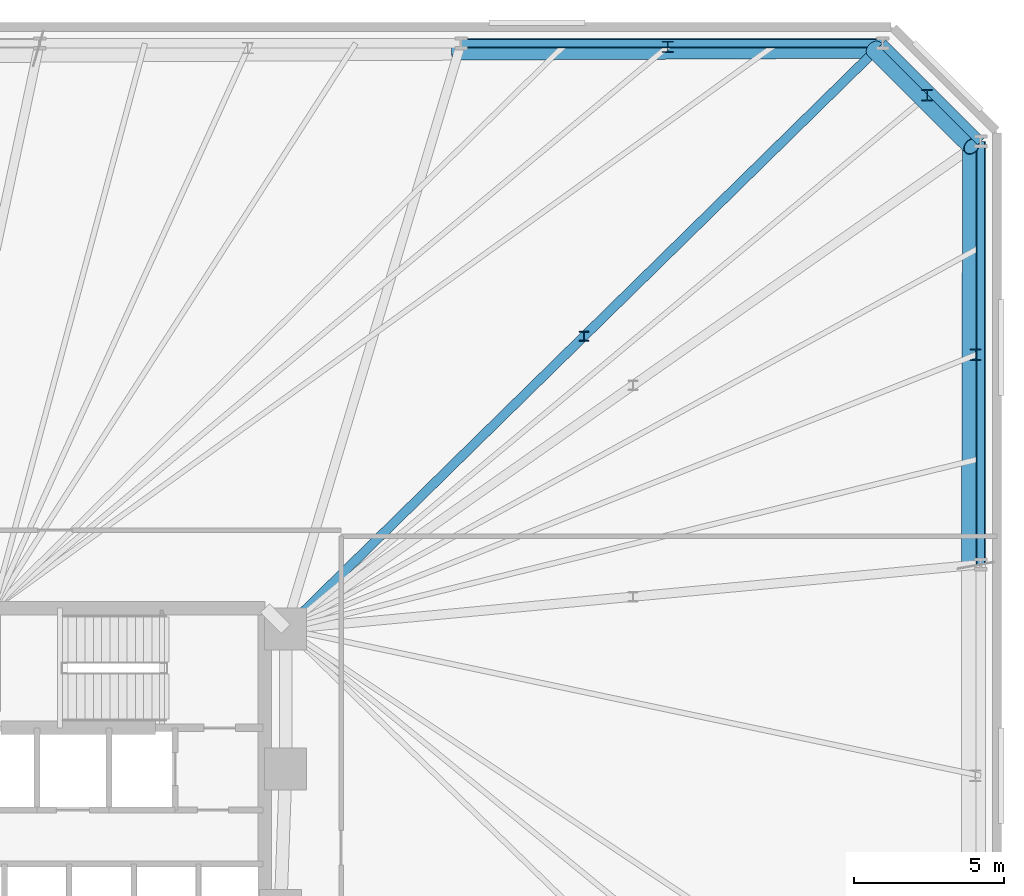
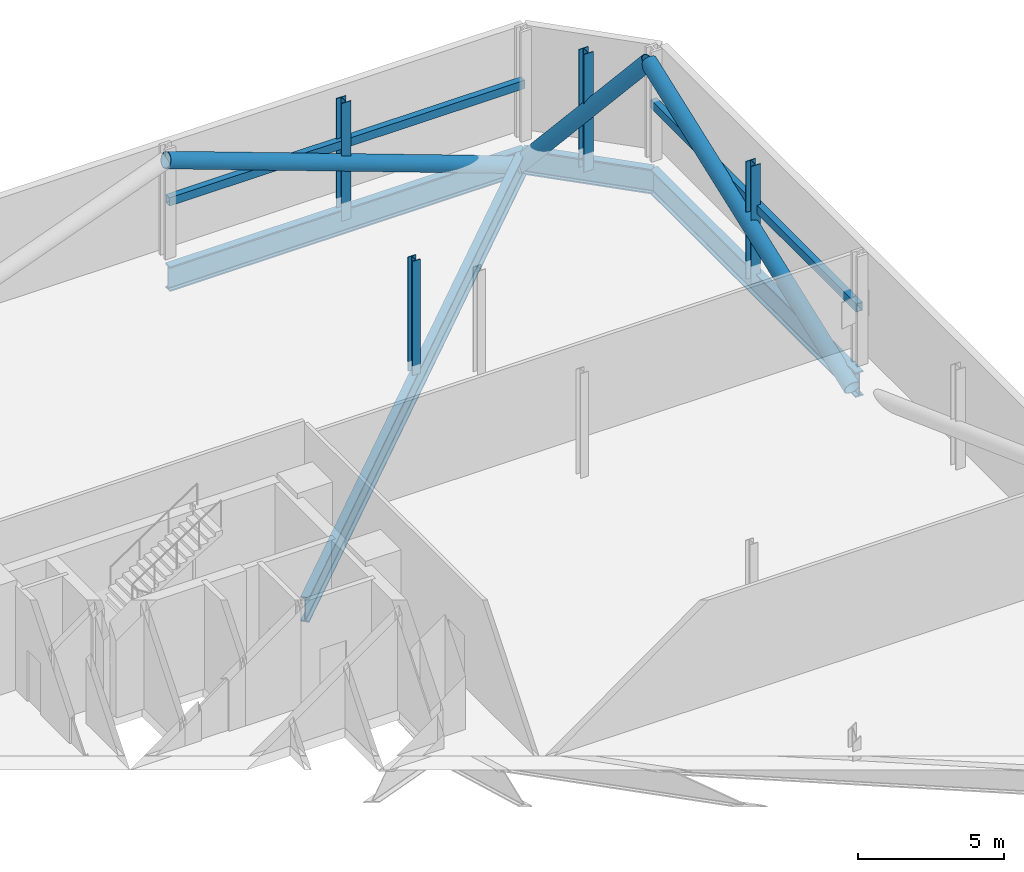
# One storey, part 11 of 17: 9 members, 4 beams.
"""IFC4 building model written with IfcOpenShell, lengths in metres."""

from ifc_helpers import new_model, si_unit, direction, frame, origin, origin_2d, place, context, subcontext, project, spatial, hollow_rectangle, hollow_circle, i_section, extrude, material, material_profile, profile_set, type_object, element, save


model = new_model("IFC4")

# Units and contexts
model_context = context("Model", 3, precision=1e-05, world=origin(), true_north=direction((0.0, 1.0)))
body_context = subcontext(model_context, "Body", "Model", "MODEL_VIEW")
ifc_project = project(units=[si_unit("LENGTHUNIT", "METRE"), si_unit("AREAUNIT", "SQUARE_METRE"), si_unit("VOLUMEUNIT", "CUBIC_METRE"), si_unit("PLANEANGLEUNIT", "RADIAN"), si_unit("MASSUNIT", "GRAM", prefix="KILO")], contexts=[model_context])

# Site, building, storey
site_placement = place(None, origin())
site = spatial("IfcSite", under=ifc_project, at=site_placement, CompositionType="ELEMENT")
building_placement = place(site_placement, origin())
building = spatial("IfcBuilding", under=site, at=building_placement, Name="Menara Jurai Vektor", CompositionType="ELEMENT")
storey_placement = place(building_placement, frame((0.0, 0.0, 9.60009765625)))
storey = spatial("IfcBuildingStorey", under=building, at=storey_placement, Name="L01", CompositionType="ELEMENT", Elevation=9.60009765625)

# Beams
ifc_material = material(Name="Steel S460", Category="steel")
ifc_material_profile_1 = material_profile(ifc_material, i_section(OverallWidth=0.30908203125, OverallDepth=1.035888671875, WebThickness=0.030029296875, FlangeThickness=0.053955078125, FilletRadius=0.030029296875, at=origin_2d()), Name="UKB 1016x305x487")
ifc_profile_set_1 = profile_set([ifc_material_profile_1], Name="Steel S460")
beam_type = type_object("IfcBeamType", Name="STR-BM-TR1016", PredefinedType="BEAM", material=ifc_profile_set_1)
beam_1_placement = place(storey_placement, frame((38.449951171875, 7.059326171875, -0.923095703125), z_axis=(0.0, 1.0, 0.0), x_axis=(-1.0, 0.0, 0.0)))
element("IfcBeam", 1, at=beam_1_placement, inside=storey, type_object=beam_type, Name="Belt Truss Bottom Chord L01-09", PredefinedType="BEAM", context=body_context, shape_type="SweptSolid", body=[
    extrude(i_section(OverallWidth=0.30908203125, OverallDepth=1.035888671875, WebThickness=0.030029296875, FlangeThickness=0.053955078125, FilletRadius=0.030029296875, at=origin_2d()), origin(), (0.0, 0.0, 1.0), 14.118408203125),
])
beam_2_placement = place(storey_placement, frame((38.449951171875, 21.177734375, -0.923095703125), z_axis=(-0.707106781187, 0.707106781187, 0.0), x_axis=(-0.707106781187, -0.707106781187, 0.0)))
element("IfcBeam", 2, at=beam_2_placement, inside=storey, type_object=beam_type, Name="Belt Truss Bottom Chord L01-10", PredefinedType="BEAM", context=body_context, shape_type="SweptSolid", body=[
    extrude(i_section(OverallWidth=0.30908203125, OverallDepth=1.035888671875, WebThickness=0.030029296875, FlangeThickness=0.053955078125, FilletRadius=0.030029296875, at=origin_2d()), origin(), (0.0, 0.0, 1.0), 4.627685546875),
])
beam_3_placement = place(storey_placement, frame((35.177734375, 24.449951171875, -0.923095703125), z_axis=(-1.0, 0.0, 0.0), x_axis=(0.0, -1.0, 0.0)))
element("IfcBeam", 3, at=beam_3_placement, inside=storey, type_object=beam_type, Name="Belt Truss Bottom Chord L01-11", PredefinedType="BEAM", context=body_context, shape_type="SweptSolid", body=[
    extrude(i_section(OverallWidth=0.30908203125, OverallDepth=1.035888671875, WebThickness=0.030029296875, FlangeThickness=0.053955078125, FilletRadius=0.030029296875, at=origin_2d()), origin(), (0.0, 0.0, 1.0), 14.071044921875),
])
beam_4_placement = place(storey_placement, frame((35.177734375, 24.449951171875, -0.923095703125), z_axis=(-0.713839032855, -0.700309813706, 0.0), x_axis=(0.700309813706, -0.713839032855, 0.0)))
element("IfcBeam", 4, at=beam_4_placement, inside=storey, type_object=beam_type, Name="Outrigger Transfer Girder L01-N1", PredefinedType="BEAM", context=body_context, shape_type="SweptSolid", body=[
    extrude(i_section(OverallWidth=0.30908203125, OverallDepth=1.035888671875, WebThickness=0.030029296875, FlangeThickness=0.053955078125, FilletRadius=0.030029296875, at=origin_2d()), origin(), (0.0, 0.0, 1.0), 27.916259765625),
])

# Members
ifc_material_profile_2 = material_profile(ifc_material, hollow_circle(Radius=0.304931640625, WallThickness=0.02490234375, at=origin_2d()), Name="CHS 610x25")
ifc_profile_set_2 = profile_set([ifc_material_profile_2], Name="Steel S460")
member_type_1 = type_object("IfcMemberType", Name="STR-BR-610", PredefinedType="BRACE", material=ifc_profile_set_2)
member_1_placement = place(storey_placement, frame((38.115478515625, 6.997802734375, -0.923095703125), z_axis=(0.00245303796, 0.938859395143, 0.344292054449), x_axis=(-0.999996586694, 0.002612776311, 0.0)))
element("IfcMember", 5, at=member_1_placement, inside=storey, type_object=member_type_1, Name="Belt Truss Web Diagonal L01-09", PredefinedType="BRACE", context=body_context, shape_type="SweptSolid", body=[
    extrude(hollow_circle(Radius=0.304931640625, WallThickness=0.02490234375, at=origin_2d()), origin(), (0.0, 0.0, 1.0), 14.928955078125),
])
member_2_placement = place(storey_placement, frame((34.898681640625, 24.256103515625, -0.923095703125), z_axis=(0.471980956409, -0.470351726033, 0.745656241579), x_axis=(0.705883185694, 0.708328262993, 0.0)))
element("IfcMember", 6, at=member_2_placement, inside=storey, type_object=member_type_1, Name="Belt Truss Web Diagonal L01-10", PredefinedType="BRACE", context=body_context, shape_type="SweptSolid", body=[
    extrude(hollow_circle(Radius=0.304931640625, WallThickness=0.02490234375, at=origin_2d()), origin(), (0.0, 0.0, 1.0), 6.89306640625),
])
member_3_placement = place(storey_placement, frame((34.898681640625, 24.256103515625, -0.923095703125), z_axis=(-0.938838220166, -0.004252429136, 0.344332271509), x_axis=(0.004529412441, -0.999989742159, 0.0)))
element("IfcMember", 7, at=member_3_placement, inside=storey, type_object=member_type_1, Name="Belt Truss Web Diagonal L01-11", PredefinedType="BRACE", context=body_context, shape_type="SweptSolid", body=[
    extrude(hollow_circle(Radius=0.304931640625, WallThickness=0.02490234375, at=origin_2d()), origin(), (0.0, 0.0, 1.0), 14.92724609375),
])
ifc_material_profile_3 = material_profile(ifc_material, hollow_rectangle(XDim=0.25, YDim=0.35009765625, WallThickness=0.012451171875, at=origin_2d()), Name="RHS 350x250x12.5")
ifc_profile_set_3 = profile_set([ifc_material_profile_3], Name="Steel S460")
member_type_2 = type_object("IfcMemberType", Name="STR-CH-RHS350", PredefinedType="CHORD", material=ifc_profile_set_3)
member_4_placement = place(storey_placement, frame((38.449951171875, 7.059326171875, 2.2998046875), z_axis=(0.0, 1.0, 0.0), x_axis=(-1.0, 0.0, 0.0)))
element("IfcMember", 8, at=member_4_placement, inside=storey, type_object=member_type_2, Name="Belt Truss Mid Chord L01-09", PredefinedType="CHORD", context=body_context, shape_type="SweptSolid", body=[
    extrude(hollow_rectangle(XDim=0.25, YDim=0.35009765625, WallThickness=0.012451171875, at=origin_2d()), origin(), (0.0, 0.0, 1.0), 14.118408203125),
])
member_5_placement = place(storey_placement, frame((35.177734375, 24.449951171875, 2.2998046875), z_axis=(-1.0, 0.0, 0.0), x_axis=(0.0, -1.0, 0.0)))
element("IfcMember", 9, at=member_5_placement, inside=storey, type_object=member_type_2, Name="Belt Truss Mid Chord L01-11", PredefinedType="CHORD", context=body_context, shape_type="SweptSolid", body=[
    extrude(hollow_rectangle(XDim=0.25, YDim=0.35009765625, WallThickness=0.012451171875, at=origin_2d()), origin(), (0.0, 0.0, 1.0), 14.071044921875),
])
ifc_material_profile_4 = material_profile(ifc_material, i_section(OverallWidth=0.31103515625, OverallDepth=0.326904296875, WebThickness=0.01611328125, FlangeThickness=0.02490234375, FilletRadius=0.014892578125, at=origin_2d()), Name="UKC 305x305x158")
ifc_profile_set_4 = profile_set([ifc_material_profile_4], Name="Steel S460")
member_type_3 = type_object("IfcMemberType", Name="STR-POST-305", PredefinedType="POST", material=ifc_profile_set_4)
member_6_placement = place(storey_placement, frame((25.2138671875, 14.675048828125, -0.405029296875), z_axis=(0.0, 0.0, 1.0), x_axis=(1.0, 0.0, 0.0)))
element("IfcMember", 10, at=member_6_placement, inside=storey, type_object=member_type_3, Name="Girder Hanger L01-N1", PredefinedType="POST", context=body_context, shape_type="SweptSolid", body=[
    extrude(i_section(OverallWidth=0.31103515625, OverallDepth=0.326904296875, WebThickness=0.01611328125, FlangeThickness=0.02490234375, FilletRadius=0.014892578125, at=origin_2d()), origin(), (0.0, 0.0, 1.0), 4.780029296875),
])
ifc_material_profile_5 = material_profile(ifc_material, i_section(OverallWidth=0.375, OverallDepth=0.375, WebThickness=0.01708984375, FlangeThickness=0.027099609375, FilletRadius=0.014892578125, at=origin_2d()), Name="UKC 356x368x202")
ifc_profile_set_5 = profile_set([ifc_material_profile_5], Name="Steel S460")
member_type_4 = type_object("IfcMemberType", Name="STR-POST-368", PredefinedType="POST", material=ifc_profile_set_5)
for number, where, z_axis, x_axis, name in (
    (11, (38.281005859375, 14.056396484375, -0.755126953125), (0.0, 0.0, 1.0), (1.0, 0.0, 0.0), "Belt Truss Vertical Web Post L01-09"),
    (12, (36.660888671875, 22.718994140625, -0.755126953125), (0.0, 0.0, 1.0), (1.0, 0.0, 0.0), "Belt Truss Vertical Web Post L01-10"),
    (13, (28.00634765625, 24.331787109375, -0.755126953125), (0.0, 0.0, 1.0), (1.0, 0.0, 0.0), "Belt Truss Vertical Web Post L01-11"),
):
    element("IfcMember", number, at=place(storey_placement, frame(where, z_axis=z_axis, x_axis=x_axis)), inside=storey, type_object=member_type_4, Name=name, PredefinedType="POST", context=body_context, shape_type="SweptSolid", body=[
        extrude(i_section(OverallWidth=0.375, OverallDepth=0.375, WebThickness=0.01708984375, FlangeThickness=0.027099609375, FilletRadius=0.014892578125, at=origin_2d()), origin(), (0.0, 0.0, 1.0), 4.929931640625),
    ])

save(model, "model.ifc")
